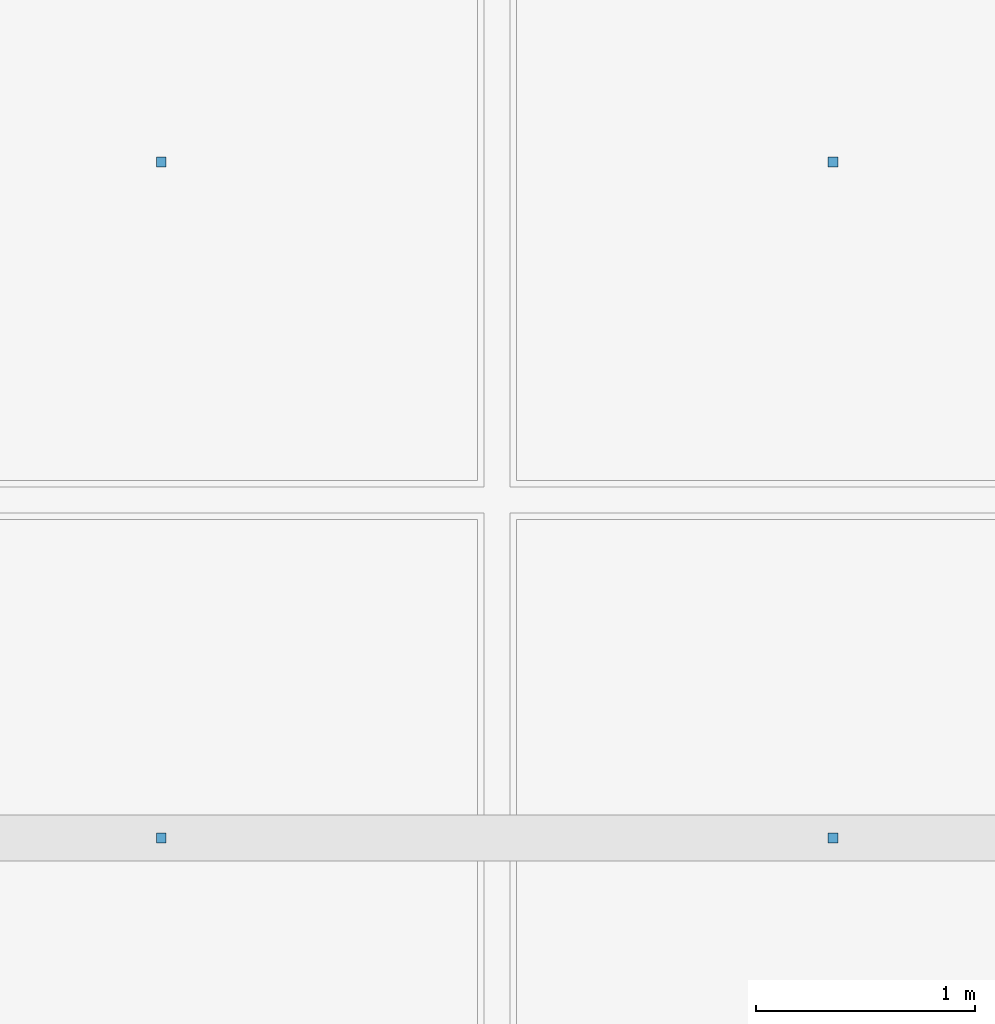
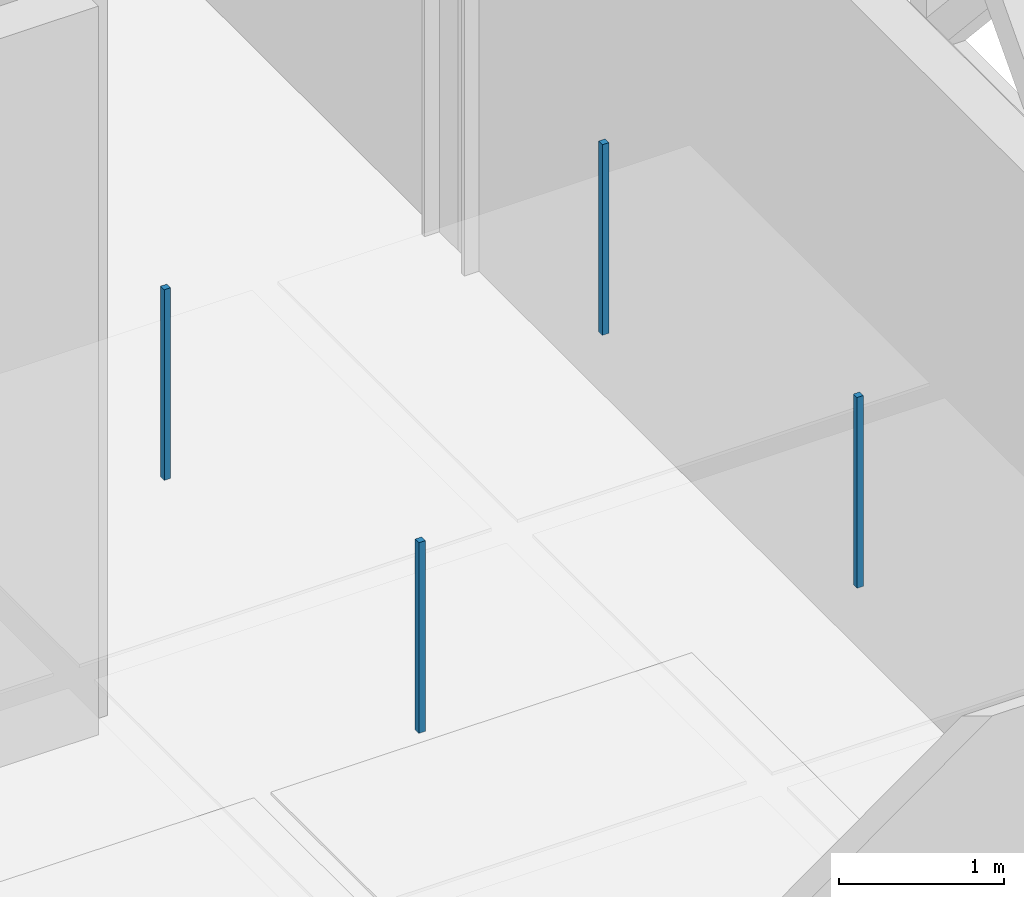
# One storey, part 115 of 180: 4 discrete accessories.
"""IFC4 building model written with IfcOpenShell, lengths in metres."""

import ifcopenshell
import ifcopenshell.guid

model = None  # the IFC model being written
_history = None  # IfcOwnerHistory: only IFC2X3 demands one
_inside = {}  # id of a spatial element -> (the spatial element, [elements in it])
_under = {}  # id of a project, library or spatial element -> (it, [spatial elements below it])
_declared = {}  # id of a project -> (the project, [libraries it declares])
_typed = {}  # id of a type object -> (the type object, [elements of that type])
_made_of = {}  # id of a material, layer set ... -> (it, [elements and type objects made of it])


def new_model(schema):
    """Start an empty IFC model of exactly this schema.

    Asked for "IFC4X3", IfcOpenShell would pick the latest addendum, in which some entities
    have other attributes; the version numbers below select the first issue.
    IFC2X3 requires an IfcOwnerHistory on every rooted entity: one is made here for all.
    """
    global model, _history
    if schema == "IFC4X3":
        model = ifcopenshell.file(schema_version=(4, 3, 0, 0))
    else:
        model = ifcopenshell.file(schema=schema)
    _inside.clear()
    _under.clear()
    _declared.clear()
    _typed.clear()
    _made_of.clear()
    _history = None
    if model.schema == "IFC2X3":
        org = make("IfcOrganization", Name="unknown")
        user = make(
            "IfcPersonAndOrganization",
            ThePerson=make("IfcPerson", FamilyName="unknown"),
            TheOrganization=org,
        )
        app = make(
            "IfcApplication",
            ApplicationDeveloper=org,
            Version="unknown",
            ApplicationFullName="unknown",
            ApplicationIdentifier="unknown",
        )
        _history = make(
            "IfcOwnerHistory",
            OwningUser=user,
            OwningApplication=app,
            ChangeAction="ADDED",
            CreationDate=0,
        )
    return model


def make(cls, **values):
    """One entity of the class cls with the attributes given. An attribute that is None is left unset."""
    return model.create_entity(
        cls, **{name: value for name, value in values.items() if value is not None}
    )


def rooted(cls, **values):
    """An entity with a GlobalId (a new one), such as an element, a storey or a relation."""
    return make(cls, GlobalId=ifcopenshell.guid.new(), OwnerHistory=_history, **values)


def si_unit(unit_type, name, prefix=None):
    """IfcSIUnit, for example si_unit("LENGTHUNIT", "METRE", prefix="MILLI")."""
    return make("IfcSIUnit", UnitType=unit_type, Prefix=prefix, Name=name)


def assignment(units):
    """IfcUnitAssignment: the units of a project."""
    return None if units is None else make("IfcUnitAssignment", Units=units)


def point(xyz):
    """IfcCartesianPoint."""
    return None if xyz is None else make("IfcCartesianPoint", Coordinates=xyz)


def direction(xyz):
    """IfcDirection."""
    return None if xyz is None else make("IfcDirection", DirectionRatios=xyz)


def frame(location, z_axis=None, x_axis=None):
    """IfcAxis2Placement3D, a coordinate frame: its origin and axes. An axis left out is left unset."""
    return make(
        "IfcAxis2Placement3D",
        Location=point(location),
        Axis=direction(z_axis),
        RefDirection=direction(x_axis),
    )


def frame_2d(location, x_axis=None):
    """IfcAxis2Placement2D, a coordinate frame in the plane: its origin and x axis."""
    return make(
        "IfcAxis2Placement2D", Location=point(location), RefDirection=direction(x_axis)
    )


def origin():
    """The frame at (0, 0, 0) with its axes left unset."""
    return frame((0.0, 0.0, 0.0))


def origin_2d():
    """The frame at (0, 0) in the plane with its x axis left unset."""
    return frame_2d((0.0, 0.0))


def place(relative_to, where):
    """IfcLocalPlacement: puts the frame where relative to a parent placement (None: the world)."""
    return make(
        "IfcLocalPlacement", PlacementRelTo=relative_to, RelativePlacement=where
    )


def context(
    kind, dimensions, precision=None, world=None, true_north=None, identifier=None
):
    """IfcGeometricRepresentationContext, for example the 3D "Model" context."""
    return make(
        "IfcGeometricRepresentationContext",
        ContextIdentifier=identifier,
        ContextType=kind,
        CoordinateSpaceDimension=dimensions,
        Precision=precision,
        WorldCoordinateSystem=world,
        TrueNorth=true_north,
    )


def subcontext(parent, identifier, kind, view, scale=None):
    """IfcGeometricRepresentationSubContext, for example "Body" below "Model"."""
    return make(
        "IfcGeometricRepresentationSubContext",
        ContextIdentifier=identifier,
        ContextType=kind,
        ParentContext=parent,
        TargetScale=scale,
        TargetView=view,
    )


def project(units=None, contexts=None):
    """IfcProject with its units and contexts."""
    return rooted(
        "IfcProject",
        Name="project",
        RepresentationContexts=contexts,
        UnitsInContext=assignment(units),
    )


def spatial(cls, under=None, at=None, **own):
    """A site, building, storey or space (cls), placed at a placement, below another one or the project."""
    s = rooted(cls, ObjectPlacement=at, **own)
    if under is not None:
        _under.setdefault(under.id(), (under, []))[1].append(s)
    return s


def profile(cls, at=None, kind="AREA", **sizes):
    """A parametric profile (cls). Its sizes go by their IFC names, for example OverallWidth=200.0."""
    return make(cls, ProfileType=kind, Position=at, **sizes)


def rectangle(**sizes):
    """IfcRectangleProfileDef."""
    return profile("IfcRectangleProfileDef", **sizes)


def extrude(swept, where, along, depth):
    """IfcExtrudedAreaSolid: the profile swept, set in the frame where, extruded along a direction by depth."""
    return make(
        "IfcExtrudedAreaSolid",
        SweptArea=swept,
        Position=where,
        ExtrudedDirection=direction(along),
        Depth=depth,
    )


def shape(context_of_items, identifier, shape_type, items):
    """IfcShapeRepresentation: the items that make up one representation, for example the "Body"."""
    return make(
        "IfcShapeRepresentation",
        ContextOfItems=context_of_items,
        RepresentationIdentifier=identifier,
        RepresentationType=shape_type,
        Items=items,
    )


def material(Name=None, Category=None):
    """IfcMaterial."""
    return make("IfcMaterial", Name=Name, Category=Category)


def made_of(thing, what):
    """Note that an element or type object is made of a material, layer set ...; save() writes the relation."""
    if what is not None:
        _made_of.setdefault(what.id(), (what, []))[1].append(thing)
    return thing


def type_object(cls, material=None, **own):
    """A type object (cls), such as IfcWallType, which elements share."""
    return made_of(rooted(cls, **own), material)


def element(
    cls,
    number,
    at=None,
    inside=None,
    cuts=None,
    type_object=None,
    material=None,
    context=None,
    identifier="Body",
    shape_type=None,
    held_by="IfcProductDefinitionShape",
    body=None,
    shapes=None,
    **own,
):
    """One element of the class cls, such as IfcWall. Its Tag is "e" and its number.

    at: its placement. inside: the storey or other place that contains it. cuts: it is an
    opening in that element (IfcRelVoidsElement). A single representation is given by context,
    identifier, shape_type and body (its items); several are given by shapes. held_by: the class
    of the entity that holds the representations. save() writes the other relations.
    """
    e = rooted(cls, Tag="e%d" % number, ObjectPlacement=at, **own)
    if body is not None:
        shapes = [shape(context, identifier, shape_type, body)]
    if shapes is not None:
        e.Representation = make(held_by, Representations=shapes)
    if inside is not None:
        _inside.setdefault(inside.id(), (inside, []))[1].append(e)
    if cuts is not None:
        rooted(
            "IfcRelVoidsElement", RelatingBuildingElement=cuts, RelatedOpeningElement=e
        )
    if type_object is not None:
        _typed.setdefault(type_object.id(), (type_object, []))[1].append(e)
    return made_of(e, material)


def aggregate(whole, parts):
    """IfcRelAggregates: a whole, such as a stair, and the parts it consists of."""
    return rooted("IfcRelAggregates", RelatingObject=whole, RelatedObjects=parts)


def save(model, path):
    """Write the relations noted so far, then the file.

    IfcRelAggregates (storeys below a building ...), IfcRelContainedInSpatialStructure (elements
    in a storey), IfcRelDefinesByType, IfcRelAssociatesMaterial and IfcRelDeclares: one each for
    every whole, place, type object, material and project.
    """
    for whole, parts in _under.values():
        aggregate(whole, parts)
    for where, things in _inside.values():
        rooted(
            "IfcRelContainedInSpatialStructure",
            RelatedElements=things,
            RelatingStructure=where,
        )
    for kind, things in _typed.values():
        rooted("IfcRelDefinesByType", RelatedObjects=things, RelatingType=kind)
    for what, things in _made_of.values():
        rooted("IfcRelAssociatesMaterial", RelatedObjects=things, RelatingMaterial=what)
    for by, libraries in _declared.values():
        rooted("IfcRelDeclares", RelatingContext=by, RelatedDefinitions=libraries)
    model.write(path)


model = new_model("IFC4")

# Units and contexts
model_context = context("Model", 3, precision=1e-05, world=origin(), true_north=direction((0.0, 1.0)))
body_context = subcontext(model_context, "Body", "Model", "MODEL_VIEW")
ifc_project = project(units=[si_unit("LENGTHUNIT", "METRE"), si_unit("AREAUNIT", "SQUARE_METRE"), si_unit("VOLUMEUNIT", "CUBIC_METRE"), si_unit("PLANEANGLEUNIT", "RADIAN"), si_unit("MASSUNIT", "GRAM", prefix="KILO"), si_unit("THERMODYNAMICTEMPERATUREUNIT", "KELVIN"), si_unit("POWERUNIT", "WATT")], contexts=[model_context])

# Site, building, storey
site_placement = place(None, origin())
site = spatial("IfcSite", under=ifc_project, at=site_placement, CompositionType="ELEMENT")
building_placement = place(site_placement, origin())
building = spatial("IfcBuilding", under=site, at=building_placement, Name="Tallowbark Science Centre", CompositionType="ELEMENT")
storey_placement = place(building_placement, origin())
storey = spatial("IfcBuildingStorey", under=building, at=storey_placement, Name="L00", CompositionType="ELEMENT", Elevation=0.0)

# Discrete accessories
ifc_material = material(Name="Galvanised Steel Grade C350L0 (350 MPa)", Category="steel")
discrete_accessory_type = type_object("IfcDiscreteAccessoryType", Name="ACC-CLG-HNG", PredefinedType="BRACKET", material=ifc_material)
for number, where, z_axis, x_axis, name in (
    (1, (97.892822265625, 22.5, 3.8095703125), (0.0, 0.0, 1.0), (1.0, 0.0, 0.0), "Ceiling Hanger Bracket L00-192"),
    (2, (97.892822265625, 25.5908203125, 3.8095703125), (0.0, 0.0, 1.0), (1.0, 0.0, 0.0), "Ceiling Hanger Bracket L00-193"),
    (3, (100.96435546875, 22.5, 3.8095703125), (0.0, 0.0, 1.0), (1.0, 0.0, 0.0), "Ceiling Hanger Bracket L00-199"),
    (4, (100.96435546875, 25.5908203125, 3.8095703125), (0.0, 0.0, 1.0), (1.0, 0.0, 0.0), "Ceiling Hanger Bracket L00-200"),
):
    element("IfcDiscreteAccessory", number, at=place(storey_placement, frame(where, z_axis=z_axis, x_axis=x_axis)), inside=storey, type_object=discrete_accessory_type, Name=name, PredefinedType="BRACKET", context=body_context, shape_type="SweptSolid", body=[
        extrude(rectangle(XDim=0.044921875, YDim=0.044921875, at=origin_2d()), origin(), (0.0, 0.0, 1.0), 1.41357421875),
    ])

save(model, "model.ifc")
